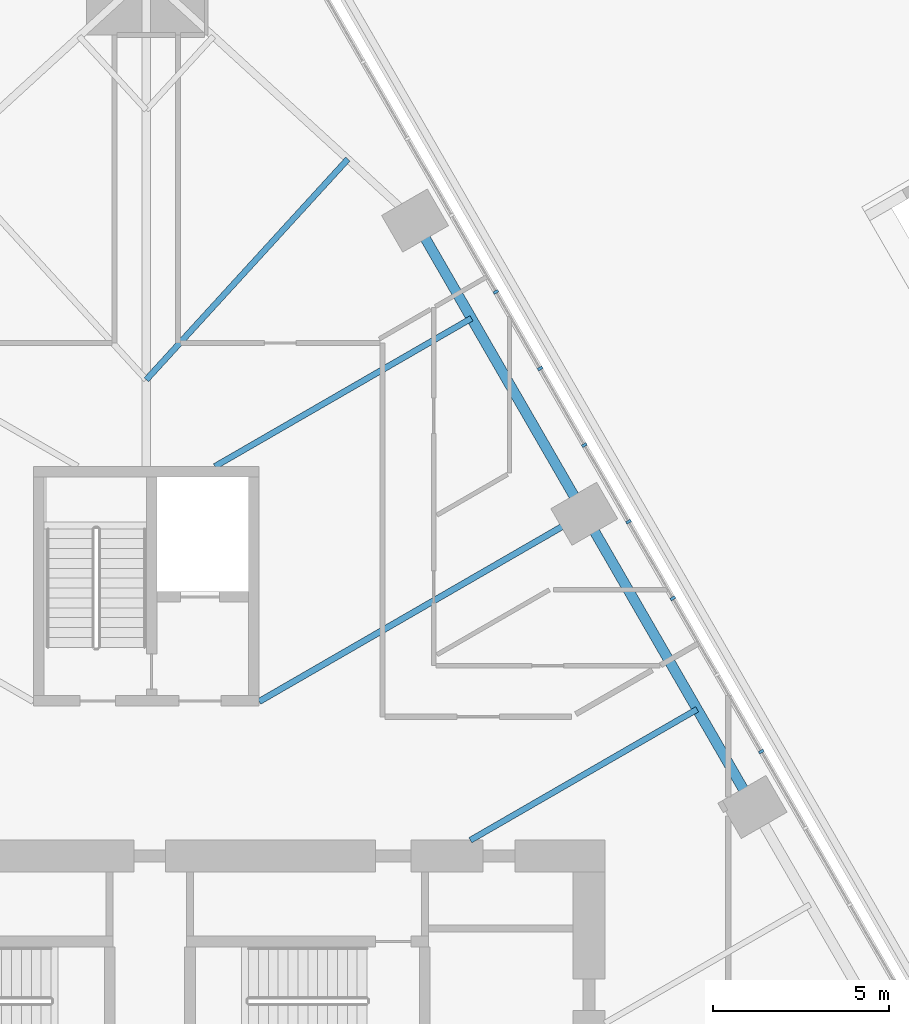
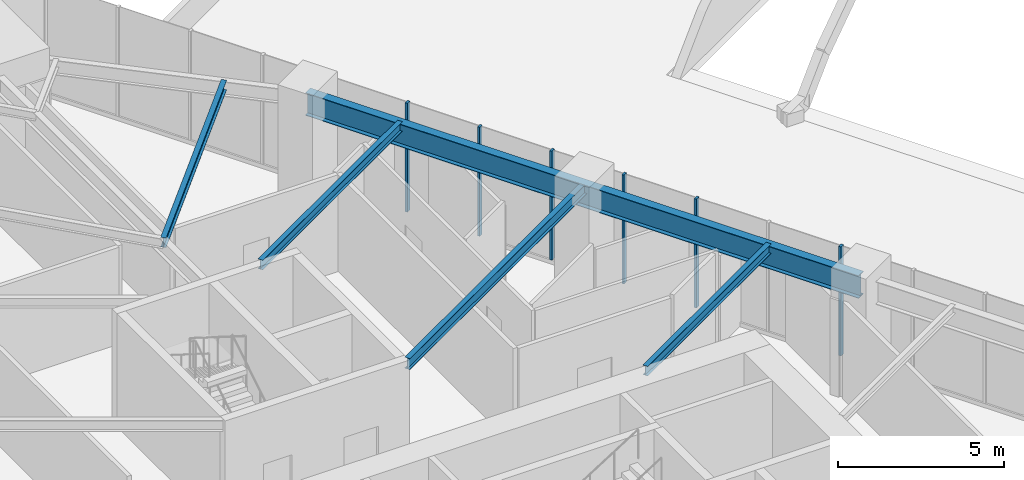
# One storey, part 10 of 23: 6 members, 5 beams, 1 element without a shape of its own.
"""IFC4 building model written with IfcOpenShell, lengths in metres."""

from ifc_helpers import new_model, si_unit, direction, frame, origin, origin_2d, place, context, subcontext, project, spatial, rectangle, i_section, extrude, material, layer, layer_set, material_profile, profile_set, type_object, element, aggregate, save


model = new_model("IFC4")

# Units and contexts
model_context = context("Model", 3, precision=1e-05, world=origin(), true_north=direction((0.0, 1.0)))
body_context = subcontext(model_context, "Body", "Model", "MODEL_VIEW")
ifc_project = project(units=[si_unit("LENGTHUNIT", "METRE"), si_unit("AREAUNIT", "SQUARE_METRE"), si_unit("VOLUMEUNIT", "CUBIC_METRE"), si_unit("PLANEANGLEUNIT", "RADIAN"), si_unit("MASSUNIT", "GRAM", prefix="KILO")], contexts=[model_context])

# Site, building, storey
site_placement = place(None, origin())
site = spatial("IfcSite", under=ifc_project, at=site_placement, CompositionType="ELEMENT")
building_placement = place(site_placement, origin())
building = spatial("IfcBuilding", under=site, at=building_placement, Name="Firuza Gate Tower and Library", CompositionType="ELEMENT")
storey_placement = place(building_placement, frame((0.0, 0.0, 26.39990234375)))
storey = spatial("IfcBuildingStorey", under=building, at=storey_placement, Name="L05", CompositionType="ELEMENT", Elevation=26.39990234375)

# Curtain wall, members
ifc_material_1 = material(Name="Aluminium 6063-T6", Category="aluminium")
ifc_layer = layer(ifc_material_1, 0.14990234375)
ifc_layer_set = layer_set([ifc_layer], Name="Stick curtain wall, podium")
curtain_wall_type = type_object("IfcCurtainWallType", Name="Stick curtain wall, podium", PredefinedType="NOTDEFINED", material=ifc_layer_set)
curtain_wall_placement = place(storey_placement, origin())
curtain_wall = element("IfcCurtainWall", 1, at=curtain_wall_placement, inside=storey, type_object=curtain_wall_type, Name="CW5 L05 E", PredefinedType="NOTDEFINED")
ifc_material_2 = material(Name="Aluminium 6063-T6", Category="aluminium")
ifc_material_profile_1 = material_profile(ifc_material_2, rectangle(XDim=0.14990234375, YDim=0.080078125, at=origin_2d()))
ifc_profile_set_1 = profile_set([ifc_material_profile_1], Name="Aluminium 6063-T6")
member_type = type_object("IfcMemberType", Name="Curtain wall mullion 80x150", PredefinedType="MULLION", material=ifc_profile_set_1)
member_1_placement = place(storey_placement, frame((92.43798828125, 86.515869140625, 0.150146484375), z_axis=(0.0, 0.0, 1.0), x_axis=(-0.866025403784, -0.5, 0.0)))
member_1 = element("IfcMember", 2, at=member_1_placement, type_object=member_type, Name="Mullion", PredefinedType="MULLION", context=body_context, shape_type="SweptSolid", body=[
    extrude(rectangle(XDim=0.14990234375, YDim=0.080078125, at=origin_2d()), origin(), (0.0, 0.0, 1.0), 4.0),
])
member_2_placement = place(storey_placement, frame((89.929931640625, 90.860107421875, 0.150146484375), z_axis=(0.0, 0.0, 1.0), x_axis=(-0.866025403784, -0.5, 0.0)))
member_2 = element("IfcMember", 3, at=member_2_placement, type_object=member_type, Name="Mullion", PredefinedType="MULLION", context=body_context, shape_type="SweptSolid", body=[
    extrude(rectangle(XDim=0.14990234375, YDim=0.080078125, at=origin_2d()), origin(), (0.0, 0.0, 1.0), 4.0),
])
member_3_placement = place(storey_placement, frame((88.67578125, 93.0322265625, 0.150146484375), z_axis=(0.0, 0.0, 1.0), x_axis=(-0.866025403784, -0.5, 0.0)))
member_3 = element("IfcMember", 4, at=member_3_placement, type_object=member_type, Name="Mullion", PredefinedType="MULLION", context=body_context, shape_type="SweptSolid", body=[
    extrude(rectangle(XDim=0.14990234375, YDim=0.080078125, at=origin_2d()), origin(), (0.0, 0.0, 1.0), 4.0),
])
member_4_placement = place(storey_placement, frame((87.421630859375, 95.2041015625, 0.150146484375), z_axis=(0.0, 0.0, 1.0), x_axis=(-0.866025403784, -0.5, 0.0)))
member_4 = element("IfcMember", 5, at=member_4_placement, type_object=member_type, Name="Mullion", PredefinedType="MULLION", context=body_context, shape_type="SweptSolid", body=[
    extrude(rectangle(XDim=0.14990234375, YDim=0.080078125, at=origin_2d()), origin(), (0.0, 0.0, 1.0), 4.0),
])
member_5_placement = place(storey_placement, frame((86.167724609375, 97.376220703125, 0.150146484375), z_axis=(0.0, 0.0, 1.0), x_axis=(-0.866025403784, -0.5, 0.0)))
member_5 = element("IfcMember", 6, at=member_5_placement, type_object=member_type, Name="Mullion", PredefinedType="MULLION", context=body_context, shape_type="SweptSolid", body=[
    extrude(rectangle(XDim=0.14990234375, YDim=0.080078125, at=origin_2d()), origin(), (0.0, 0.0, 1.0), 4.0),
])
member_6_placement = place(storey_placement, frame((84.91357421875, 99.54833984375, 0.150146484375), z_axis=(0.0, 0.0, 1.0), x_axis=(-0.866025403784, -0.5, 0.0)))
member_6 = element("IfcMember", 7, at=member_6_placement, type_object=member_type, Name="Mullion", PredefinedType="MULLION", context=body_context, shape_type="SweptSolid", body=[
    extrude(rectangle(XDim=0.14990234375, YDim=0.080078125, at=origin_2d()), origin(), (0.0, 0.0, 1.0), 4.0),
])
aggregate(curtain_wall, [member_1, member_2, member_3, member_4, member_5, member_6])

# Beams
ifc_material_3 = material(Name="Steel S355", Category="steel")
ifc_material_profile_2 = material_profile(ifc_material_3, i_section(OverallWidth=0.1708984375, OverallDepth=0.35498046875, WebThickness=0.007080078125, FlangeThickness=0.01171875, at=origin_2d()))
ifc_profile_set_2 = profile_set([ifc_material_profile_2], Name="Steel S355")
beam_type_1 = type_object("IfcBeamType", Name="W360x51 Floor beam", PredefinedType="JOIST", material=ifc_profile_set_2)
beam_1_placement = place(storey_placement, frame((90.62060546875, 87.713623046875, 3.97265625), z_axis=(-0.866023556141, -0.500003200199, 0.0), x_axis=(0.500003200199, -0.866023556141, 0.0)))
element("IfcBeam", 8, at=beam_1_placement, inside=storey, type_object=beam_type_1, Name="Floor beam L05 s73", PredefinedType="JOIST", context=body_context, shape_type="SweptSolid", body=[
    extrude(i_section(OverallWidth=0.1708984375, OverallDepth=0.35498046875, WebThickness=0.007080078125, FlangeThickness=0.01171875, at=origin_2d()), origin(), (0.0, 0.0, 1.0), 7.42724609375),
])
beam_2_placement = place(storey_placement, frame((84.220458984375, 98.798828125, 3.97265625), z_axis=(-0.866019517829, -0.500010194636, 0.0), x_axis=(0.500010194636, -0.866019517829, 0.0)))
element("IfcBeam", 9, at=beam_2_placement, inside=storey, type_object=beam_type_1, Name="Floor beam L05 s75", PredefinedType="JOIST", context=body_context, shape_type="SweptSolid", body=[
    extrude(i_section(OverallWidth=0.1708984375, OverallDepth=0.35498046875, WebThickness=0.007080078125, FlangeThickness=0.01171875, at=origin_2d()), origin(), (0.0, 0.0, 1.0), 8.397216796875),
])
beam_3_placement = place(storey_placement, frame((80.71533203125, 103.31103515625, 3.97265625), z_axis=(-0.674578139258, -0.7382034503, 0.0), x_axis=(0.7382034503, -0.674578139258, 0.0)))
element("IfcBeam", 10, at=beam_3_placement, inside=storey, type_object=beam_type_1, Name="Floor beam L05 s80", PredefinedType="JOIST", context=body_context, shape_type="SweptSolid", body=[
    extrude(i_section(OverallWidth=0.1708984375, OverallDepth=0.35498046875, WebThickness=0.007080078125, FlangeThickness=0.01171875, at=origin_2d()), origin(), (0.0, 0.0, 1.0), 8.472412109375),
])
ifc_material_4 = material(Name="Steel S355", Category="steel")
ifc_material_profile_3 = material_profile(ifc_material_4, i_section(OverallWidth=0.177978515625, OverallDepth=0.406982421875, WebThickness=0.0078125, FlangeThickness=0.0126953125, at=origin_2d()))
ifc_profile_set_3 = profile_set([ifc_material_profile_3], Name="Steel S355")
beam_type_2 = type_object("IfcBeamType", Name="W410x60 Floor beam", PredefinedType="JOIST", material=ifc_profile_set_3)
beam_4_placement = place(storey_placement, frame((87.420654296875, 93.256103515625, 3.946533203125), z_axis=(-0.866029027547, -0.499993723407, 0.0), x_axis=(0.499993723407, -0.866029027547, 0.0)))
element("IfcBeam", 11, at=beam_4_placement, inside=storey, type_object=beam_type_2, Name="Floor beam L05 s74", PredefinedType="JOIST", context=body_context, shape_type="SweptSolid", body=[
    extrude(i_section(OverallWidth=0.177978515625, OverallDepth=0.406982421875, WebThickness=0.0078125, FlangeThickness=0.0126953125, at=origin_2d()), origin(), (0.0, 0.0, 1.0), 10.647216796875),
])
ifc_material_5 = material(Name="Steel S355", Category="steel")
ifc_material_profile_4 = material_profile(ifc_material_5, i_section(OverallWidth=0.2919921875, OverallDepth=0.8349609375, WebThickness=0.013916015625, FlangeThickness=0.018798828125, at=origin_2d()))
ifc_profile_set_4 = profile_set([ifc_material_profile_4], Name="Steel S355")
beam_type_3 = type_object("IfcBeamType", Name="W840x176 Edge beam", PredefinedType="SPANDREL", material=ifc_profile_set_4)
beam_5_placement = place(storey_placement, frame((92.220458984375, 84.9423828125, 3.732666015625), z_axis=(-0.499994327668, 0.866028678682, 0.0), x_axis=(-0.866028678682, -0.499994327668, 0.0)))
element("IfcBeam", 12, at=beam_5_placement, inside=storey, type_object=beam_type_3, Name="Edge beam L05 e72", PredefinedType="SPANDREL", context=body_context, shape_type="SweptSolid", body=[
    extrude(i_section(OverallWidth=0.2919921875, OverallDepth=0.8349609375, WebThickness=0.013916015625, FlangeThickness=0.018798828125, at=origin_2d()), origin(), (0.0, 0.0, 1.0), 19.199951171875),
])

save(model, "model.ifc")
